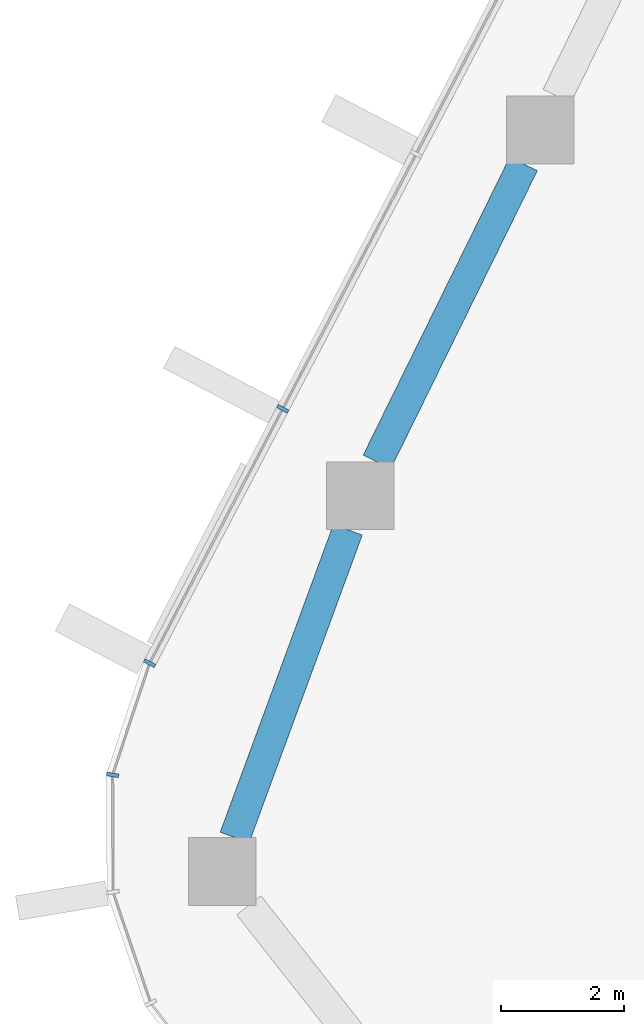
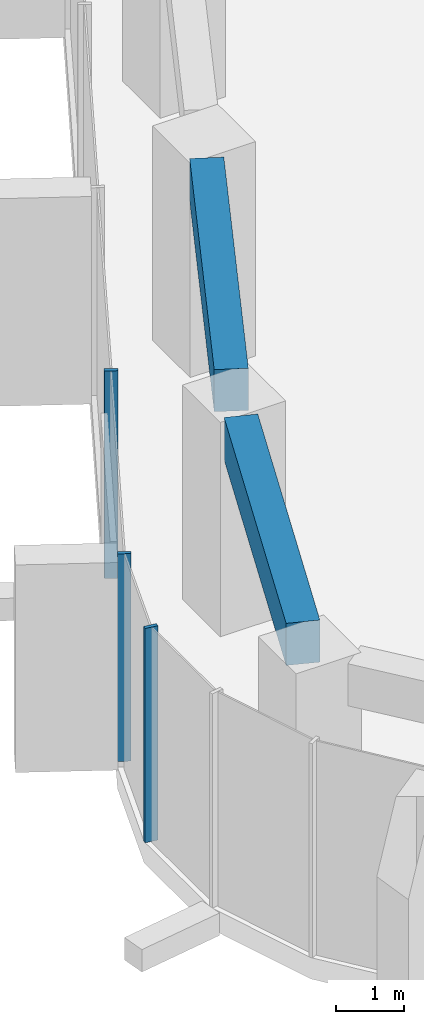
# One storey, part 3 of 20: 3 members, 2 beams, 2 elements without a shape of their own.
"""IFC4 building model written with IfcOpenShell, lengths in metres."""

from ifc_helpers import new_model, si_unit, direction, frame, origin, origin_2d, place, context, subcontext, project, spatial, rectangle, extrude, material, layer, layer_set, material_profile, profile_set, type_object, element, aggregate, save


model = new_model("IFC4")

# Units and contexts
model_context = context("Model", 3, precision=1e-05, world=origin(), true_north=direction((0.0, 1.0)))
body_context = subcontext(model_context, "Body", "Model", "MODEL_VIEW")
ifc_project = project(units=[si_unit("LENGTHUNIT", "METRE"), si_unit("AREAUNIT", "SQUARE_METRE"), si_unit("VOLUMEUNIT", "CUBIC_METRE"), si_unit("PLANEANGLEUNIT", "RADIAN"), si_unit("MASSUNIT", "GRAM", prefix="KILO")], contexts=[model_context])

# Site, building, storey
site_placement = place(None, origin())
site = spatial("IfcSite", under=ifc_project, at=site_placement, CompositionType="ELEMENT")
building_placement = place(site_placement, origin())
building = spatial("IfcBuilding", under=site, at=building_placement, Name="Dongbaek Canopy Tower", CompositionType="ELEMENT")
storey_placement = place(building_placement, frame((0.0, 0.0, 249.60009765625)))
storey = spatial("IfcBuildingStorey", under=building, at=storey_placement, Name="L52", CompositionType="ELEMENT", Elevation=249.60009765625)

# Curtain wall, members
ifc_material_1 = material(Name="Aluminium 6063-T6 pale anodised", Category="aluminium")
ifc_layer = layer(ifc_material_1, 0.199951171875)
ifc_layer_set = layer_set([ifc_layer], Name="CW-1 unitised tower curtain wall")
curtain_wall_type = type_object("IfcCurtainWallType", Name="CW-1 unitised tower curtain wall", PredefinedType="NOTDEFINED", material=ifc_layer_set)
curtain_wall_1_placement = place(storey_placement, origin())
curtain_wall_1 = element("IfcCurtainWall", 1, at=curtain_wall_1_placement, inside=storey, type_object=curtain_wall_type, Name="CW-1 curtain wall F2.1", PredefinedType="NOTDEFINED")
ifc_material_2 = material(Name="Aluminium 6063-T6 pale anodised", Category="aluminium")
ifc_material_profile_1 = material_profile(ifc_material_2, rectangle(XDim=0.199951171875, YDim=0.06005859375, at=origin_2d()), Name="CW-1 mullion 60 x 200")
ifc_profile_set_1 = profile_set([ifc_material_profile_1], Name="Aluminium 6063-T6 pale anodised")
member_type = type_object("IfcMemberType", Name="CW-1 mullion 60 x 200", PredefinedType="MULLION", material=ifc_profile_set_1)
member_1_placement = place(storey_placement, frame((-26.798583984375, 1.48779296875, 0.119873046875), z_axis=(0.0, 0.0, 1.0), x_axis=(-0.886019109709, 0.463648721803, 0.0)))
member_1 = element("IfcMember", 2, at=member_1_placement, type_object=member_type, Name="CW-1 mullion F2.1.6", PredefinedType="MULLION", context=body_context, shape_type="SweptSolid", body=[
    extrude(rectangle(XDim=0.199951171875, YDim=0.06005859375, at=origin_2d()), origin(), (0.0, 0.0, 1.0), 3.699951171875),
])
member_2_placement = place(storey_placement, frame((-28.958984375, -2.640625, 0.119873046875), z_axis=(0.0, 0.0, 1.0), x_axis=(-0.886019109709, 0.463648721803, 0.0)))
member_2 = element("IfcMember", 3, at=member_2_placement, type_object=member_type, Name="CW-1 mullion F2.1.7", PredefinedType="MULLION", context=body_context, shape_type="SweptSolid", body=[
    extrude(rectangle(XDim=0.199951171875, YDim=0.06005859375, at=origin_2d()), origin(), (0.0, 0.0, 1.0), 3.699951171875),
])
aggregate(curtain_wall_1, [member_1, member_2])

# Curtain wall, member
curtain_wall_2_placement = place(storey_placement, origin())
curtain_wall_2 = element("IfcCurtainWall", 4, at=curtain_wall_2_placement, inside=storey, type_object=curtain_wall_type, Name="CW-1 curtain wall K3.1", PredefinedType="NOTDEFINED")
member_3_placement = place(storey_placement, frame((-29.56005859375, -4.453125, 0.0), z_axis=(0.0, 0.0, 1.0), x_axis=(-0.987492655796, 0.157665008006, 0.0)))
member_3 = element("IfcMember", 5, at=member_3_placement, type_object=member_type, Name="CW-1 mullion K3.1.2", PredefinedType="MULLION", context=body_context, shape_type="SweptSolid", body=[
    extrude(rectangle(XDim=0.199951171875, YDim=0.06005859375, at=origin_2d()), origin(), (0.0, 0.0, 1.0), 3.81982421875),
])
aggregate(curtain_wall_2, [member_3])

# Beams
ifc_material_3 = material(Name="Concrete C70", Category="concrete")
ifc_material_profile_2 = material_profile(ifc_material_3, rectangle(XDim=0.5, YDim=0.75, at=origin_2d()), Name="RC EDGE BEAM 500x750 C70")
ifc_profile_set_2 = profile_set([ifc_material_profile_2], Name="Concrete C70")
beam_type = type_object("IfcBeamType", Name="RC EDGE BEAM 500x750 C70", PredefinedType="BEAM", material=ifc_profile_set_2)
beam_1_placement = place(storey_placement, frame((-27.57958984375, -5.469970703125, 3.44482421875), z_axis=(0.345180317771, 0.938536386201, 0.0), x_axis=(-0.938536386201, 0.345180317771, 0.0)))
element("IfcBeam", 6, at=beam_1_placement, inside=storey, type_object=beam_type, Name="EDGEBEAM:L52:08", PredefinedType="BEAM", context=body_context, shape_type="SweptSolid", body=[
    extrude(rectangle(XDim=0.5, YDim=0.75, at=origin_2d()), origin(), (0.0, 0.0, 1.0), 5.322998046875),
])
beam_2_placement = place(storey_placement, frame((-25.26953125, 0.6259765625, 3.44482421875), z_axis=(0.44133161815, 0.897344082736, 0.0), x_axis=(-0.897344082736, 0.44133161815, 0.0)))
element("IfcBeam", 7, at=beam_2_placement, inside=storey, type_object=beam_type, Name="EDGEBEAM:L52:09", PredefinedType="BEAM", context=body_context, shape_type="SweptSolid", body=[
    extrude(rectangle(XDim=0.5, YDim=0.75, at=origin_2d()), origin(), (0.0, 0.0, 1.0), 5.38818359375),
])

save(model, "model.ifc")
